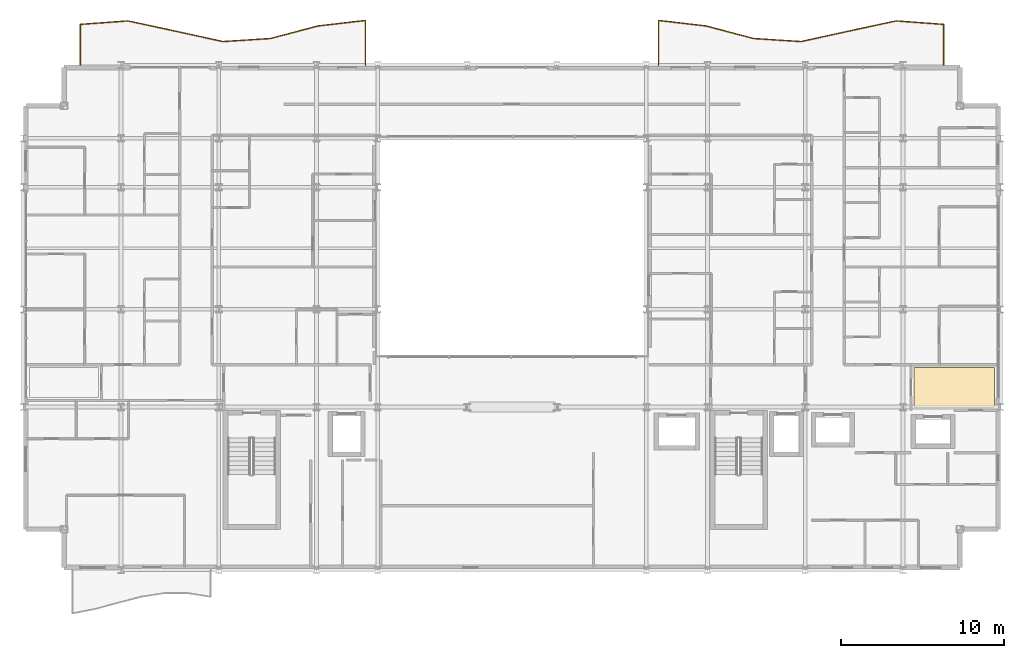
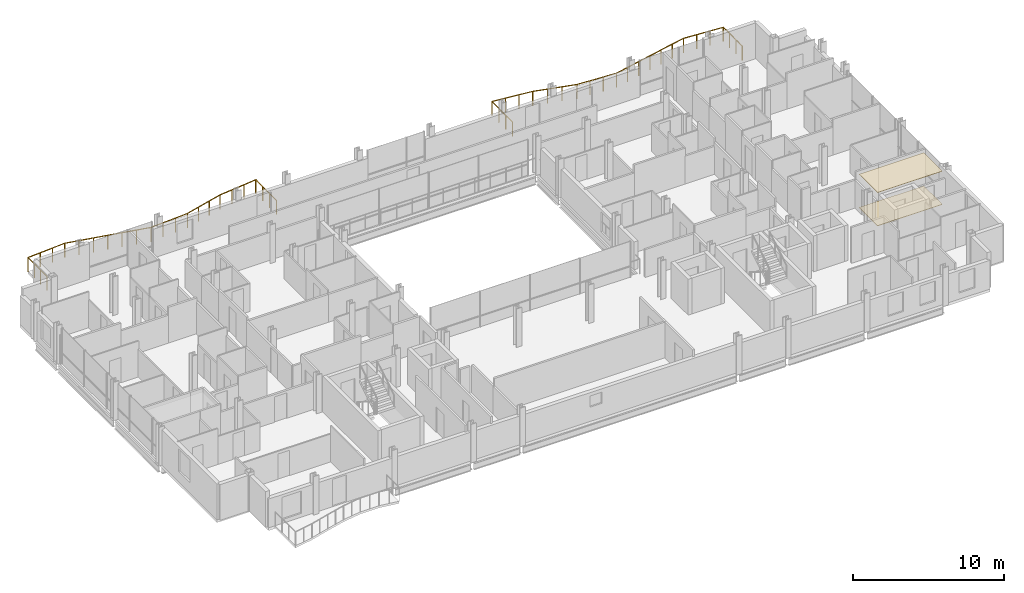
# One storey, part 40 of 40: 2 coverings, 2 railings.
"""IFC4 building model written with IfcOpenShell, lengths in metres."""

import ifcopenshell
import ifcopenshell.guid

model = None  # the IFC model being written
_history = None  # IfcOwnerHistory: only IFC2X3 demands one
_inside = {}  # id of a spatial element -> (the spatial element, [elements in it])
_under = {}  # id of a project, library or spatial element -> (it, [spatial elements below it])
_declared = {}  # id of a project -> (the project, [libraries it declares])
_typed = {}  # id of a type object -> (the type object, [elements of that type])
_made_of = {}  # id of a material, layer set ... -> (it, [elements and type objects made of it])


def new_model(schema):
    """Start an empty IFC model of exactly this schema.

    Asked for "IFC4X3", IfcOpenShell would pick the latest addendum, in which some entities
    have other attributes; the version numbers below select the first issue.
    IFC2X3 requires an IfcOwnerHistory on every rooted entity: one is made here for all.
    """
    global model, _history
    if schema == "IFC4X3":
        model = ifcopenshell.file(schema_version=(4, 3, 0, 0))
    else:
        model = ifcopenshell.file(schema=schema)
    _inside.clear()
    _under.clear()
    _declared.clear()
    _typed.clear()
    _made_of.clear()
    _history = None
    if model.schema == "IFC2X3":
        org = make("IfcOrganization", Name="unknown")
        user = make(
            "IfcPersonAndOrganization",
            ThePerson=make("IfcPerson", FamilyName="unknown"),
            TheOrganization=org,
        )
        app = make(
            "IfcApplication",
            ApplicationDeveloper=org,
            Version="unknown",
            ApplicationFullName="unknown",
            ApplicationIdentifier="unknown",
        )
        _history = make(
            "IfcOwnerHistory",
            OwningUser=user,
            OwningApplication=app,
            ChangeAction="ADDED",
            CreationDate=0,
        )
    return model


def make(cls, **values):
    """One entity of the class cls with the attributes given. An attribute that is None is left unset."""
    return model.create_entity(
        cls, **{name: value for name, value in values.items() if value is not None}
    )


def rooted(cls, **values):
    """An entity with a GlobalId (a new one), such as an element, a storey or a relation."""
    return make(cls, GlobalId=ifcopenshell.guid.new(), OwnerHistory=_history, **values)


def si_unit(unit_type, name, prefix=None):
    """IfcSIUnit, for example si_unit("LENGTHUNIT", "METRE", prefix="MILLI")."""
    return make("IfcSIUnit", UnitType=unit_type, Prefix=prefix, Name=name)


def assignment(units):
    """IfcUnitAssignment: the units of a project."""
    return None if units is None else make("IfcUnitAssignment", Units=units)


def point(xyz):
    """IfcCartesianPoint."""
    return None if xyz is None else make("IfcCartesianPoint", Coordinates=xyz)


def direction(xyz):
    """IfcDirection."""
    return None if xyz is None else make("IfcDirection", DirectionRatios=xyz)


def frame(location, z_axis=None, x_axis=None):
    """IfcAxis2Placement3D, a coordinate frame: its origin and axes. An axis left out is left unset."""
    return make(
        "IfcAxis2Placement3D",
        Location=point(location),
        Axis=direction(z_axis),
        RefDirection=direction(x_axis),
    )


def frame_2d(location, x_axis=None):
    """IfcAxis2Placement2D, a coordinate frame in the plane: its origin and x axis."""
    return make(
        "IfcAxis2Placement2D", Location=point(location), RefDirection=direction(x_axis)
    )


def origin():
    """The frame at (0, 0, 0) with its axes left unset."""
    return frame((0.0, 0.0, 0.0))


def origin_2d():
    """The frame at (0, 0) in the plane with its x axis left unset."""
    return frame_2d((0.0, 0.0))


def place(relative_to, where):
    """IfcLocalPlacement: puts the frame where relative to a parent placement (None: the world)."""
    return make(
        "IfcLocalPlacement", PlacementRelTo=relative_to, RelativePlacement=where
    )


def context(
    kind, dimensions, precision=None, world=None, true_north=None, identifier=None
):
    """IfcGeometricRepresentationContext, for example the 3D "Model" context."""
    return make(
        "IfcGeometricRepresentationContext",
        ContextIdentifier=identifier,
        ContextType=kind,
        CoordinateSpaceDimension=dimensions,
        Precision=precision,
        WorldCoordinateSystem=world,
        TrueNorth=true_north,
    )


def subcontext(parent, identifier, kind, view, scale=None):
    """IfcGeometricRepresentationSubContext, for example "Body" below "Model"."""
    return make(
        "IfcGeometricRepresentationSubContext",
        ContextIdentifier=identifier,
        ContextType=kind,
        ParentContext=parent,
        TargetScale=scale,
        TargetView=view,
    )


def project(units=None, contexts=None):
    """IfcProject with its units and contexts."""
    return rooted(
        "IfcProject",
        Name="project",
        RepresentationContexts=contexts,
        UnitsInContext=assignment(units),
    )


def spatial(cls, under=None, at=None, **own):
    """A site, building, storey or space (cls), placed at a placement, below another one or the project."""
    s = rooted(cls, ObjectPlacement=at, **own)
    if under is not None:
        _under.setdefault(under.id(), (under, []))[1].append(s)
    return s


def polyline(points):
    """IfcPolyline through the points."""
    return make("IfcPolyline", Points=[point(p) for p in points])


def profile(cls, at=None, kind="AREA", **sizes):
    """A parametric profile (cls). Its sizes go by their IFC names, for example OverallWidth=200.0."""
    return make(cls, ProfileType=kind, Position=at, **sizes)


def circle(**sizes):
    """IfcCircleProfileDef."""
    return profile("IfcCircleProfileDef", **sizes)


def outline(outer, holes=None, kind="AREA"):
    """IfcArbitraryClosedProfileDef: a profile drawn as a closed curve; with holes, ...WithVoids."""
    if holes is None:
        return make("IfcArbitraryClosedProfileDef", ProfileType=kind, OuterCurve=outer)
    return make(
        "IfcArbitraryProfileDefWithVoids",
        ProfileType=kind,
        OuterCurve=outer,
        InnerCurves=holes,
    )


def extrude(swept, where, along, depth):
    """IfcExtrudedAreaSolid: the profile swept, set in the frame where, extruded along a direction by depth."""
    return make(
        "IfcExtrudedAreaSolid",
        SweptArea=swept,
        Position=where,
        ExtrudedDirection=direction(along),
        Depth=depth,
    )


def shape(context_of_items, identifier, shape_type, items):
    """IfcShapeRepresentation: the items that make up one representation, for example the "Body"."""
    return make(
        "IfcShapeRepresentation",
        ContextOfItems=context_of_items,
        RepresentationIdentifier=identifier,
        RepresentationType=shape_type,
        Items=items,
    )


def material(Name=None, Category=None):
    """IfcMaterial."""
    return make("IfcMaterial", Name=Name, Category=Category)


def layer(
    of_material, thickness, ventilated=None, Name=None, Category=None, Priority=None
):
    """IfcMaterialLayer: one layer of a wall or slab, of a material (None: an air gap)."""
    return make(
        "IfcMaterialLayer",
        Material=of_material,
        LayerThickness=thickness,
        IsVentilated=ventilated,
        Name=Name,
        Category=Category,
        Priority=Priority,
    )


def layer_set(layers, Name=None):
    """IfcMaterialLayerSet."""
    return make("IfcMaterialLayerSet", MaterialLayers=layers, LayerSetName=Name)


def made_of(thing, what):
    """Note that an element or type object is made of a material, layer set ...; save() writes the relation."""
    if what is not None:
        _made_of.setdefault(what.id(), (what, []))[1].append(thing)
    return thing


def type_object(cls, material=None, **own):
    """A type object (cls), such as IfcWallType, which elements share."""
    return made_of(rooted(cls, **own), material)


def element(
    cls,
    number,
    at=None,
    inside=None,
    cuts=None,
    type_object=None,
    material=None,
    context=None,
    identifier="Body",
    shape_type=None,
    held_by="IfcProductDefinitionShape",
    body=None,
    shapes=None,
    **own,
):
    """One element of the class cls, such as IfcWall. Its Tag is "e" and its number.

    at: its placement. inside: the storey or other place that contains it. cuts: it is an
    opening in that element (IfcRelVoidsElement). A single representation is given by context,
    identifier, shape_type and body (its items); several are given by shapes. held_by: the class
    of the entity that holds the representations. save() writes the other relations.
    """
    e = rooted(cls, Tag="e%d" % number, ObjectPlacement=at, **own)
    if body is not None:
        shapes = [shape(context, identifier, shape_type, body)]
    if shapes is not None:
        e.Representation = make(held_by, Representations=shapes)
    if inside is not None:
        _inside.setdefault(inside.id(), (inside, []))[1].append(e)
    if cuts is not None:
        rooted(
            "IfcRelVoidsElement", RelatingBuildingElement=cuts, RelatedOpeningElement=e
        )
    if type_object is not None:
        _typed.setdefault(type_object.id(), (type_object, []))[1].append(e)
    return made_of(e, material)


def aggregate(whole, parts):
    """IfcRelAggregates: a whole, such as a stair, and the parts it consists of."""
    return rooted("IfcRelAggregates", RelatingObject=whole, RelatedObjects=parts)


def save(model, path):
    """Write the relations noted so far, then the file.

    IfcRelAggregates (storeys below a building ...), IfcRelContainedInSpatialStructure (elements
    in a storey), IfcRelDefinesByType, IfcRelAssociatesMaterial and IfcRelDeclares: one each for
    every whole, place, type object, material and project.
    """
    for whole, parts in _under.values():
        aggregate(whole, parts)
    for where, things in _inside.values():
        rooted(
            "IfcRelContainedInSpatialStructure",
            RelatedElements=things,
            RelatingStructure=where,
        )
    for kind, things in _typed.values():
        rooted("IfcRelDefinesByType", RelatedObjects=things, RelatingType=kind)
    for what, things in _made_of.values():
        rooted("IfcRelAssociatesMaterial", RelatedObjects=things, RelatingMaterial=what)
    for by, libraries in _declared.values():
        rooted("IfcRelDeclares", RelatingContext=by, RelatedDefinitions=libraries)
    model.write(path)


model = new_model("IFC4")

# Units and contexts
model_context = context("Model", 3, precision=1e-05, world=origin(), true_north=direction((0.0, 1.0)))
body_context = subcontext(model_context, "Body", "Model", "MODEL_VIEW")
ifc_project = project(units=[si_unit("LENGTHUNIT", "METRE"), si_unit("AREAUNIT", "SQUARE_METRE"), si_unit("VOLUMEUNIT", "CUBIC_METRE"), si_unit("PLANEANGLEUNIT", "RADIAN"), si_unit("MASSUNIT", "GRAM", prefix="KILO")], contexts=[model_context])

# Site, building, storey
site_placement = place(None, origin())
site = spatial("IfcSite", under=ifc_project, at=site_placement, CompositionType="ELEMENT")
building_placement = place(site_placement, origin())
building = spatial("IfcBuilding", under=site, at=building_placement, Name="Brevholm Reach", CompositionType="ELEMENT")
storey_placement = place(building_placement, frame((0.0, 0.0, 125.199951171875)))
storey = spatial("IfcBuildingStorey", under=building, at=storey_placement, Name="L37", CompositionType="ELEMENT", Elevation=125.199951171875)

# Coverings
ifc_material_1 = material(Name="Moisture-Resistant Skimmed Gypsum Plasterboard Ceiling", Category="gypsum")
ifc_layer_1 = layer(ifc_material_1, 0.030029296875)
ifc_layer_set_1 = layer_set([ifc_layer_1], Name="Moisture-Resistant Skimmed Gypsum Plasterboard Ceiling")
covering_type_1 = type_object("IfcCoveringType", Name="COV-CLG-GYP", PredefinedType="CEILING", material=ifc_layer_set_1)
covering_1_placement = place(storey_placement, frame((0.0, 0.0, 2.679931640625)))
element("IfcCovering", 1, at=covering_1_placement, inside=storey, type_object=covering_type_1, Name="L37 Suspended Ceiling L37-30", PredefinedType="CEILING", context=body_context, shape_type="SweptSolid", body=[
    extrude(outline(polyline([(59.6201171875, 12.419921875), (59.6201171875, 10.123779296875), (59.6171875, 10.1162109375), (59.607666015625, 10.077880859375), (59.601806640625, 10.039306640625), (59.60009765625, 10.0), (59.60107421875, 9.97998046875), (54.68408203125, 9.97998046875), (54.68408203125, 12.419921875), (59.6201171875, 12.419921875)])), origin(), (0.0, 0.0, 1.0), 0.030029296875),
])
ifc_material_2 = material(Name="Honed Portland-Aggregate Resin Terrazzo Flooring", Category="concrete")
ifc_layer_2 = layer(ifc_material_2, 0.031982421875)
ifc_layer_set_2 = layer_set([ifc_layer_2], Name="Honed Portland-Aggregate Resin Terrazzo Flooring")
covering_type_2 = type_object("IfcCoveringType", Name="COV-FLR-TRZ", PredefinedType="FLOORING", material=ifc_layer_set_2)
covering_2_placement = place(storey_placement, origin())
element("IfcCovering", 2, at=covering_2_placement, inside=storey, type_object=covering_type_2, Name="L37 Floor Finish L37-30", PredefinedType="FLOORING", context=body_context, shape_type="SweptSolid", body=[
    extrude(outline(polyline([(59.6201171875, 12.419921875), (59.6201171875, 10.123779296875), (59.6171875, 10.1162109375), (59.607666015625, 10.077880859375), (59.601806640625, 10.039306640625), (59.60009765625, 10.0), (59.60107421875, 9.97998046875), (54.68408203125, 9.97998046875), (54.68408203125, 12.419921875), (59.6201171875, 12.419921875)])), origin(), (0.0, 0.0, 1.0), 0.031982421875),
])

# Railings
ifc_material_3 = material(Name="Brushed Stainless Steel EN 1.4401 and Laminated Glass", Category="steel")
railing_type = type_object("IfcRailingType", Name="RAL-BALC-1150", PredefinedType="BALUSTRADE", material=ifc_material_3)
railing_1_placement = place(storey_placement, frame((56.5, 31.0, 0.0)))
element("IfcRailing", 3, at=railing_1_placement, inside=storey, type_object=railing_type, Name="L37 Guard Balustrade RAL-L37-BAL-NE", PredefinedType="BALUSTRADE", context=body_context, shape_type="SweptSolid", body=[
    extrude(circle(Radius=0.02392578125, at=origin_2d()), frame((0.0, 0.0, 1.1259765625), z_axis=(0.0, 1.0, 0.0), x_axis=(-1.0, 0.0, 0.0)), (0.0, 0.0, 1.0), 2.499755859375),
    extrude(circle(Radius=0.02392578125, at=origin_2d()), frame((0.0, 2.499755859375, 1.1259765625), z_axis=(-0.997334760815, 0.072961461535, 0.0), x_axis=(-0.072961461535, -0.997334760815, 0.0)), (0.0, 0.0, 1.0), 2.924560546875),
    extrude(circle(Radius=0.02392578125, at=origin_2d()), frame((-2.916748046875, 2.713134765625, 1.1259765625), z_axis=(-0.977716094956, -0.209931507079, 0.0), x_axis=(0.209931507079, -0.977716094956, 0.0)), (0.0, 0.0, 1.0), 2.98291015625),
    extrude(circle(Radius=0.02392578125, at=origin_2d()), frame((-5.833251953125, 2.0869140625, 1.1259765625), z_axis=(-0.976615982801, -0.214991214093, 0.0), x_axis=(0.214991214093, -0.976615982801, 0.0)), (0.0, 0.0, 1.0), 2.986572265625),
    extrude(circle(Radius=0.02392578125, at=origin_2d()), frame((-8.75, 1.44482421875, 1.1259765625), z_axis=(-0.997945514781, 0.06406831923, 0.0), x_axis=(-0.06406831923, -0.997945514781, 0.0)), (0.0, 0.0, 1.0), 2.9228515625),
    extrude(circle(Radius=0.02392578125, at=origin_2d()), frame((-11.666748046875, 1.632080078125, 1.1259765625), z_axis=(-0.966868735292, 0.255274065889, 0.0), x_axis=(-0.255274065889, -0.966868735292, 0.0)), (0.0, 0.0, 1.0), 3.016357421875),
    extrude(circle(Radius=0.02392578125, at=origin_2d()), frame((-14.583251953125, 2.402099609375, 1.1259765625), z_axis=(-0.99329006652, 0.11564965954, 0.0), x_axis=(-0.11564965954, -0.99329006652, 0.0)), (0.0, 0.0, 1.0), 2.9365234375),
    extrude(circle(Radius=0.02392578125, at=origin_2d()), frame((-17.5, 2.74169921875, 1.1259765625), z_axis=(0.0, -1.0, 0.0), x_axis=(1.0, 0.0, 0.0)), (0.0, 0.0, 1.0), 2.74169921875),
    extrude(circle(Radius=0.02099609375, at=origin_2d()), origin(), (0.0, 0.0, 1.0), 1.101806640625),
    extrude(circle(Radius=0.02099609375, at=origin_2d()), frame((0.0, 0.833251953125, 0.0)), (0.0, 0.0, 1.0), 1.101806640625),
    extrude(circle(Radius=0.02099609375, at=origin_2d()), frame((0.0, 1.66650390625, 0.0)), (0.0, 0.0, 1.0), 1.101806640625),
    extrude(circle(Radius=0.02099609375, at=origin_2d()), frame((0.0, 2.499755859375, 0.0)), (0.0, 0.0, 1.0), 1.101806640625),
    extrude(circle(Radius=0.02099609375, at=origin_2d()), frame((-0.97216796875, 2.57080078125, 0.0)), (0.0, 0.0, 1.0), 1.101806640625),
    extrude(circle(Radius=0.02099609375, at=origin_2d()), frame((-1.944580078125, 2.64208984375, 0.0)), (0.0, 0.0, 1.0), 1.101806640625),
    extrude(circle(Radius=0.02099609375, at=origin_2d()), frame((-2.916748046875, 2.713134765625, 0.0)), (0.0, 0.0, 1.0), 1.101806640625),
    extrude(circle(Radius=0.02099609375, at=origin_2d()), frame((-3.888916015625, 2.50439453125, 0.0)), (0.0, 0.0, 1.0), 1.101806640625),
    extrude(circle(Radius=0.02099609375, at=origin_2d()), frame((-4.861083984375, 2.295654296875, 0.0)), (0.0, 0.0, 1.0), 1.101806640625),
    extrude(circle(Radius=0.02099609375, at=origin_2d()), frame((-5.833251953125, 2.0869140625, 0.0)), (0.0, 0.0, 1.0), 1.101806640625),
    extrude(circle(Radius=0.02099609375, at=origin_2d()), frame((-6.805419921875, 1.872802734375, 0.0)), (0.0, 0.0, 1.0), 1.101806640625),
    extrude(circle(Radius=0.02099609375, at=origin_2d()), frame((-7.77783203125, 1.658935546875, 0.0)), (0.0, 0.0, 1.0), 1.101806640625),
    extrude(circle(Radius=0.02099609375, at=origin_2d()), frame((-8.75, 1.44482421875, 0.0)), (0.0, 0.0, 1.0), 1.101806640625),
    extrude(circle(Radius=0.02099609375, at=origin_2d()), frame((-9.72216796875, 1.50732421875, 0.0)), (0.0, 0.0, 1.0), 1.101806640625),
    extrude(circle(Radius=0.02099609375, at=origin_2d()), frame((-10.694580078125, 1.569580078125, 0.0)), (0.0, 0.0, 1.0), 1.101806640625),
    extrude(circle(Radius=0.02099609375, at=origin_2d()), frame((-11.666748046875, 1.632080078125, 0.0)), (0.0, 0.0, 1.0), 1.101806640625),
    extrude(circle(Radius=0.02099609375, at=origin_2d()), frame((-12.638916015625, 1.888671875, 0.0)), (0.0, 0.0, 1.0), 1.101806640625),
    extrude(circle(Radius=0.02099609375, at=origin_2d()), frame((-13.611083984375, 2.1455078125, 0.0)), (0.0, 0.0, 1.0), 1.101806640625),
    extrude(circle(Radius=0.02099609375, at=origin_2d()), frame((-14.583251953125, 2.402099609375, 0.0)), (0.0, 0.0, 1.0), 1.101806640625),
    extrude(circle(Radius=0.02099609375, at=origin_2d()), frame((-15.555419921875, 2.515380859375, 0.0)), (0.0, 0.0, 1.0), 1.101806640625),
    extrude(circle(Radius=0.02099609375, at=origin_2d()), frame((-16.52783203125, 2.62841796875, 0.0)), (0.0, 0.0, 1.0), 1.101806640625),
    extrude(circle(Radius=0.02099609375, at=origin_2d()), frame((-17.5, 2.74169921875, 0.0)), (0.0, 0.0, 1.0), 1.101806640625),
    extrude(circle(Radius=0.02099609375, at=origin_2d()), frame((-17.5, 1.827880859375, 0.0)), (0.0, 0.0, 1.0), 1.101806640625),
    extrude(circle(Radius=0.02099609375, at=origin_2d()), frame((-17.5, 0.913818359375, 0.0)), (0.0, 0.0, 1.0), 1.101806640625),
    extrude(circle(Radius=0.02099609375, at=origin_2d()), frame((-17.5, 0.0, 0.0)), (0.0, 0.0, 1.0), 1.101806640625),
])
railing_2_placement = place(storey_placement, frame((21.0, 31.0, 0.0)))
element("IfcRailing", 4, at=railing_2_placement, inside=storey, type_object=railing_type, Name="L37 Guard Balustrade RAL-L37-BAL-NW", PredefinedType="BALUSTRADE", context=body_context, shape_type="SweptSolid", body=[
    extrude(circle(Radius=0.02392578125, at=origin_2d()), frame((0.0, 0.0, 1.1259765625), z_axis=(0.0, 1.0, 0.0), x_axis=(-1.0, 0.0, 0.0)), (0.0, 0.0, 1.0), 2.74169921875),
    extrude(circle(Radius=0.02392578125, at=origin_2d()), frame((0.0, 2.74169921875, 1.1259765625), z_axis=(-0.99329006652, -0.11564965954, 0.0), x_axis=(0.11564965954, -0.99329006652, 0.0)), (0.0, 0.0, 1.0), 2.9365234375),
    extrude(circle(Radius=0.02392578125, at=origin_2d()), frame((-2.916748046875, 2.402099609375, 1.1259765625), z_axis=(-0.966868735292, -0.255274065889, 0.0), x_axis=(0.255274065889, -0.966868735292, 0.0)), (0.0, 0.0, 1.0), 3.016357421875),
    extrude(circle(Radius=0.02392578125, at=origin_2d()), frame((-5.833251953125, 1.632080078125, 1.1259765625), z_axis=(-0.997945514781, -0.06406831923, 0.0), x_axis=(0.06406831923, -0.997945514781, 0.0)), (0.0, 0.0, 1.0), 2.9228515625),
    extrude(circle(Radius=0.02392578125, at=origin_2d()), frame((-8.75, 1.44482421875, 1.1259765625), z_axis=(-0.976615982801, 0.214991214093, 0.0), x_axis=(-0.214991214093, -0.976615982801, 0.0)), (0.0, 0.0, 1.0), 2.986572265625),
    extrude(circle(Radius=0.02392578125, at=origin_2d()), frame((-11.666748046875, 2.0869140625, 1.1259765625), z_axis=(-0.977716094956, 0.209931507079, 0.0), x_axis=(-0.209931507079, -0.977716094956, 0.0)), (0.0, 0.0, 1.0), 2.98291015625),
    extrude(circle(Radius=0.02392578125, at=origin_2d()), frame((-14.583251953125, 2.713134765625, 1.1259765625), z_axis=(-0.997334760815, -0.072961461535, 0.0), x_axis=(0.072961461535, -0.997334760815, 0.0)), (0.0, 0.0, 1.0), 2.924560546875),
    extrude(circle(Radius=0.02392578125, at=origin_2d()), frame((-17.5, 2.499755859375, 1.1259765625), z_axis=(0.0, -1.0, 0.0), x_axis=(1.0, 0.0, 0.0)), (0.0, 0.0, 1.0), 2.499755859375),
    extrude(circle(Radius=0.02099609375, at=origin_2d()), origin(), (0.0, 0.0, 1.0), 1.101806640625),
    extrude(circle(Radius=0.02099609375, at=origin_2d()), frame((0.0, 0.913818359375, 0.0)), (0.0, 0.0, 1.0), 1.101806640625),
    extrude(circle(Radius=0.02099609375, at=origin_2d()), frame((0.0, 1.827880859375, 0.0)), (0.0, 0.0, 1.0), 1.101806640625),
    extrude(circle(Radius=0.02099609375, at=origin_2d()), frame((0.0, 2.74169921875, 0.0)), (0.0, 0.0, 1.0), 1.101806640625),
    extrude(circle(Radius=0.02099609375, at=origin_2d()), frame((-0.97216796875, 2.62841796875, 0.0)), (0.0, 0.0, 1.0), 1.101806640625),
    extrude(circle(Radius=0.02099609375, at=origin_2d()), frame((-1.944580078125, 2.515380859375, 0.0)), (0.0, 0.0, 1.0), 1.101806640625),
    extrude(circle(Radius=0.02099609375, at=origin_2d()), frame((-2.916748046875, 2.402099609375, 0.0)), (0.0, 0.0, 1.0), 1.101806640625),
    extrude(circle(Radius=0.02099609375, at=origin_2d()), frame((-3.888916015625, 2.1455078125, 0.0)), (0.0, 0.0, 1.0), 1.101806640625),
    extrude(circle(Radius=0.02099609375, at=origin_2d()), frame((-4.861083984375, 1.888671875, 0.0)), (0.0, 0.0, 1.0), 1.101806640625),
    extrude(circle(Radius=0.02099609375, at=origin_2d()), frame((-5.833251953125, 1.632080078125, 0.0)), (0.0, 0.0, 1.0), 1.101806640625),
    extrude(circle(Radius=0.02099609375, at=origin_2d()), frame((-6.805419921875, 1.569580078125, 0.0)), (0.0, 0.0, 1.0), 1.101806640625),
    extrude(circle(Radius=0.02099609375, at=origin_2d()), frame((-7.77783203125, 1.50732421875, 0.0)), (0.0, 0.0, 1.0), 1.101806640625),
    extrude(circle(Radius=0.02099609375, at=origin_2d()), frame((-8.75, 1.44482421875, 0.0)), (0.0, 0.0, 1.0), 1.101806640625),
    extrude(circle(Radius=0.02099609375, at=origin_2d()), frame((-9.72216796875, 1.658935546875, 0.0)), (0.0, 0.0, 1.0), 1.101806640625),
    extrude(circle(Radius=0.02099609375, at=origin_2d()), frame((-10.694580078125, 1.872802734375, 0.0)), (0.0, 0.0, 1.0), 1.101806640625),
    extrude(circle(Radius=0.02099609375, at=origin_2d()), frame((-11.666748046875, 2.0869140625, 0.0)), (0.0, 0.0, 1.0), 1.101806640625),
    extrude(circle(Radius=0.02099609375, at=origin_2d()), frame((-12.638916015625, 2.295654296875, 0.0)), (0.0, 0.0, 1.0), 1.101806640625),
    extrude(circle(Radius=0.02099609375, at=origin_2d()), frame((-13.611083984375, 2.50439453125, 0.0)), (0.0, 0.0, 1.0), 1.101806640625),
    extrude(circle(Radius=0.02099609375, at=origin_2d()), frame((-14.583251953125, 2.713134765625, 0.0)), (0.0, 0.0, 1.0), 1.101806640625),
    extrude(circle(Radius=0.02099609375, at=origin_2d()), frame((-15.555419921875, 2.64208984375, 0.0)), (0.0, 0.0, 1.0), 1.101806640625),
    extrude(circle(Radius=0.02099609375, at=origin_2d()), frame((-16.52783203125, 2.57080078125, 0.0)), (0.0, 0.0, 1.0), 1.101806640625),
    extrude(circle(Radius=0.02099609375, at=origin_2d()), frame((-17.5, 2.499755859375, 0.0)), (0.0, 0.0, 1.0), 1.101806640625),
    extrude(circle(Radius=0.02099609375, at=origin_2d()), frame((-17.5, 1.66650390625, 0.0)), (0.0, 0.0, 1.0), 1.101806640625),
    extrude(circle(Radius=0.02099609375, at=origin_2d()), frame((-17.5, 0.833251953125, 0.0)), (0.0, 0.0, 1.0), 1.101806640625),
    extrude(circle(Radius=0.02099609375, at=origin_2d()), frame((-17.5, 0.0, 0.0)), (0.0, 0.0, 1.0), 1.101806640625),
])

save(model, "model.ifc")
